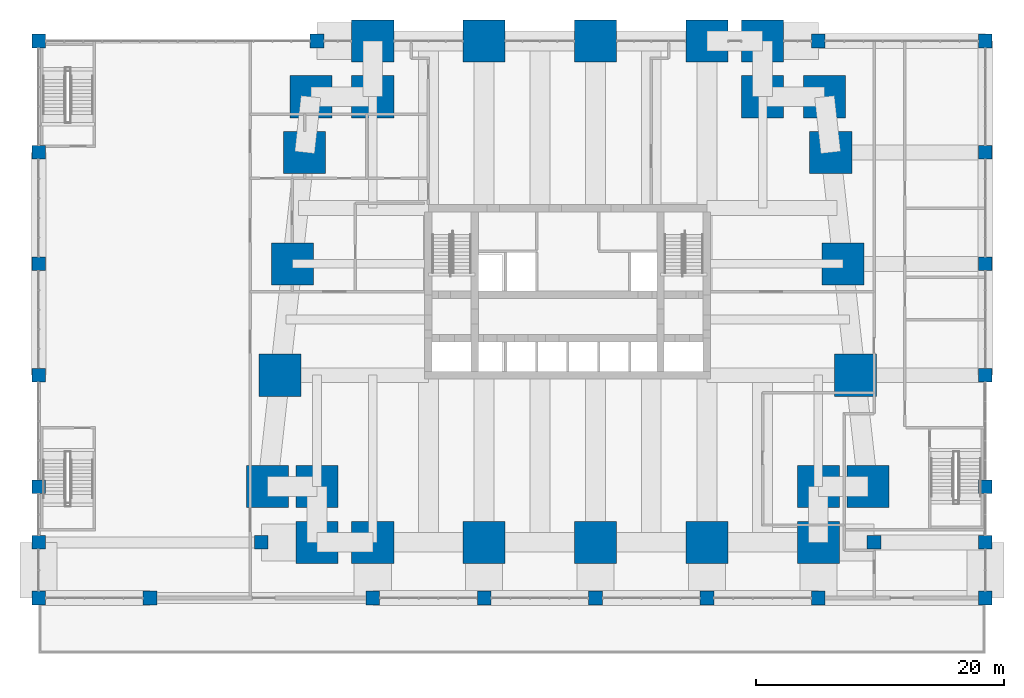
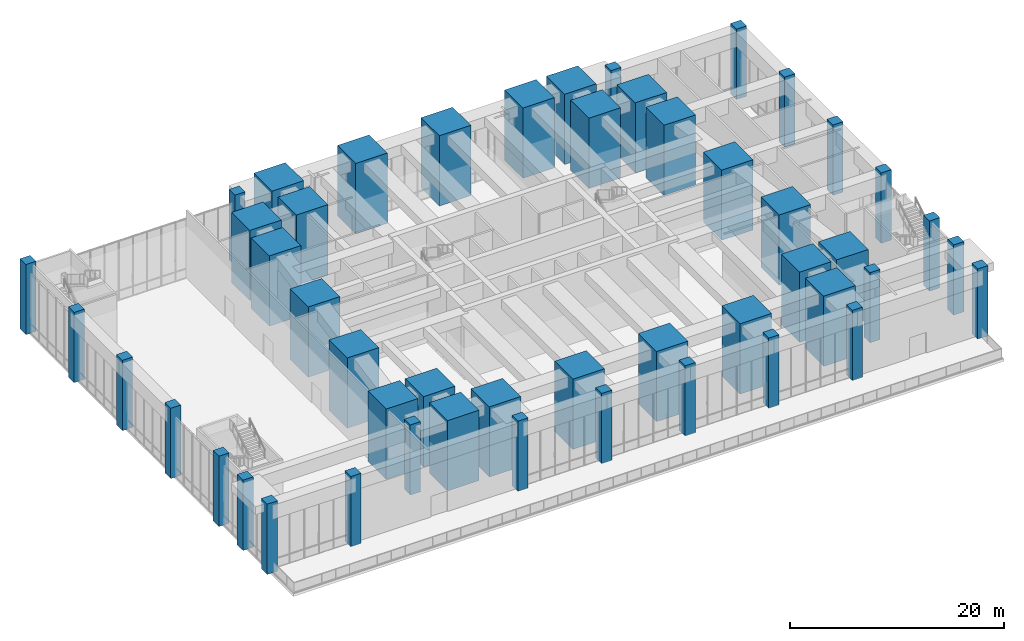
# One storey, part 1 of 26: 49 columns.
"""IFC4 building model written with IfcOpenShell, lengths in metres."""

from ifc_helpers import new_model, si_unit, direction, frame, origin, origin_2d, place, context, subcontext, project, spatial, rectangle, extrude, material, material_profile, profile_set, type_object, element, save


model = new_model("IFC4")

# Units and contexts
model_context = context("Model", 3, precision=1e-05, world=origin(), true_north=direction((0.0, 1.0)))
body_context = subcontext(model_context, "Body", "Model", "MODEL_VIEW")
ifc_project = project(units=[si_unit("LENGTHUNIT", "METRE"), si_unit("AREAUNIT", "SQUARE_METRE"), si_unit("VOLUMEUNIT", "CUBIC_METRE"), si_unit("PLANEANGLEUNIT", "RADIAN"), si_unit("MASSUNIT", "GRAM", prefix="KILO")], contexts=[model_context])

# Site, building, storey
site_placement = place(None, origin())
site = spatial("IfcSite", under=ifc_project, at=site_placement, CompositionType="ELEMENT")
building_placement = place(site_placement, origin())
building = spatial("IfcBuilding", under=site, at=building_placement, Name="Kilele Tower Hotel", CompositionType="ELEMENT")
storey_placement = place(building_placement, frame((0.0, 0.0, 11.0)))
storey = spatial("IfcBuildingStorey", under=building, at=storey_placement, Name="L02", CompositionType="ELEMENT", Elevation=11.0)

# Columns
ifc_material_1 = material(Name="Concrete C60/75", Category="concrete")
ifc_material_profile_1 = material_profile(ifc_material_1, rectangle(XDim=1.10009765625, YDim=1.10009765625, at=origin_2d()))
ifc_profile_set_1 = profile_set([ifc_material_profile_1], Name="Concrete C60/75")
column_type_1 = type_object("IfcColumnType", Name="Column RC 1100x1100 C60/75", PredefinedType="COLUMN", material=ifc_profile_set_1)
for number, where, z_axis, x_axis, name in (
    (1, (-18.0, -4.5, 0.0), (0.0, 0.0, 1.0), (1.0, 0.0, 0.0), "Column PC1 L02"),
    (2, (58.5, -4.5, 0.0), (0.0, 0.0, 1.0), (1.0, 0.0, 0.0), "Column PC1 L02"),
    (3, (-18.0, 4.5, 0.0), (0.0, 0.0, 1.0), (1.0, 0.0, 0.0), "Column PC1 L02"),
    (4, (58.5, 4.5, 0.0), (0.0, 0.0, 1.0), (1.0, 0.0, 0.0), "Column PC1 L02"),
    (5, (-18.0, 13.5, 0.0), (0.0, 0.0, 1.0), (1.0, 0.0, 0.0), "Column PC1 L02"),
    (6, (58.5, 13.5, 0.0), (0.0, 0.0, 1.0), (1.0, 0.0, 0.0), "Column PC1 L02"),
    (7, (-18.0, 22.5, 0.0), (0.0, 0.0, 1.0), (1.0, 0.0, 0.0), "Column PC1 L02"),
    (8, (58.5, 22.5, 0.0), (0.0, 0.0, 1.0), (1.0, 0.0, 0.0), "Column PC1 L02"),
    (9, (-18.0, 31.5, 0.0), (0.0, 0.0, 1.0), (1.0, 0.0, 0.0), "Column PC1 L02"),
    (10, (58.5, 31.5, 0.0), (0.0, 0.0, 1.0), (1.0, 0.0, 0.0), "Column PC1 L02"),
    (11, (-18.0, 40.5, 0.0), (0.0, 0.0, 1.0), (1.0, 0.0, 0.0), "Column PC1 L02"),
    (12, (58.5, 40.5, 0.0), (0.0, 0.0, 1.0), (1.0, 0.0, 0.0), "Column PC1 L02"),
    (13, (-18.0, 0.0, 0.0), (0.0, 0.0, 1.0), (1.0, 0.0, 0.0), "Column PC1 L02"),
    (14, (58.5, 0.0, 0.0), (0.0, 0.0, 1.0), (1.0, 0.0, 0.0), "Column PC1 L02"),
    (15, (9.0, -4.5, 0.0), (0.0, 0.0, 1.0), (1.0, 0.0, 0.0), "Column PC1 L02"),
    (16, (18.0, -4.5, 0.0), (0.0, 0.0, 1.0), (1.0, 0.0, 0.0), "Column PC1 L02"),
    (17, (27.0, -4.5, 0.0), (0.0, 0.0, 1.0), (1.0, 0.0, 0.0), "Column PC1 L02"),
    (18, (36.0, -4.5, 0.0), (0.0, 0.0, 1.0), (1.0, 0.0, 0.0), "Column PC1 L02"),
    (19, (45.0, -4.5, 0.0), (0.0, 0.0, 1.0), (1.0, 0.0, 0.0), "Column PC1 L02"),
    (20, (0.0, 0.0, 0.0), (0.0, 0.0, 1.0), (1.0, 0.0, 0.0), "Column PC1 L02"),
    (21, (49.5, 0.0, 0.0), (0.0, 0.0, 1.0), (1.0, 0.0, 0.0), "Column PC1 L02"),
    (22, (4.5, 40.5, 0.0), (0.0, 0.0, 1.0), (1.0, 0.0, 0.0), "Column PC1 L02"),
    (23, (45.0, 40.5, 0.0), (0.0, 0.0, 1.0), (1.0, 0.0, 0.0), "Column PC1 L02"),
    (24, (-9.0, -4.5, 0.0), (0.0, 0.0, 1.0), (1.0, 0.0, 0.0), "Column PC1 L02"),
):
    element("IfcColumn", number, at=place(storey_placement, frame(where, z_axis=z_axis, x_axis=x_axis)), inside=storey, type_object=column_type_1, Name=name, PredefinedType="COLUMN", context=body_context, shape_type="SweptSolid", body=[
        extrude(rectangle(XDim=1.10009765625, YDim=1.10009765625, at=origin_2d()), origin(), (0.0, 0.0, 1.0), 8.0),
    ])
ifc_material_2 = material(Name="Concrete C80/95", Category="concrete")
ifc_material_profile_2 = material_profile(ifc_material_2, rectangle(XDim=3.39990234375, YDim=3.39990234375, at=origin_2d()))
ifc_profile_set_2 = profile_set([ifc_material_profile_2], Name="Concrete C80/95")
column_type_2 = type_object("IfcColumnType", Name="Mega column RC 3400x3400 C80/95", PredefinedType="COLUMN", material=ifc_profile_set_2)
for number, where, z_axis, x_axis, name in (
    (25, (0.5, 4.5, 0.0), (0.0, 0.0, 1.0), (1.0, 0.0, 0.0), "Column MC2 L02"),
    (26, (4.5, 4.5, 0.0), (0.0, 0.0, 1.0), (1.0, 0.0, 0.0), "Column MC2 L02"),
    (27, (4.5, 0.0, 0.0), (0.0, 0.0, 1.0), (1.0, 0.0, 0.0), "Column MC2 L02"),
    (28, (9.0, 0.0, 0.0), (0.0, 0.0, 1.0), (1.0, 0.0, 0.0), "Column MC2 L02"),
    (29, (18.0, 0.0, 0.0), (0.0, 0.0, 1.0), (1.0, 0.0, 0.0), "Column MC2 L02"),
    (30, (27.0, 0.0, 0.0), (0.0, 0.0, 1.0), (1.0, 0.0, 0.0), "Column MC2 L02"),
    (31, (36.0, 0.0, 0.0), (0.0, 0.0, 1.0), (1.0, 0.0, 0.0), "Column MC2 L02"),
    (32, (45.0, 0.0, 0.0), (0.0, 0.0, 1.0), (1.0, 0.0, 0.0), "Column MC2 L02"),
    (33, (45.0, 4.5, 0.0), (0.0, 0.0, 1.0), (1.0, 0.0, 0.0), "Column MC2 L02"),
    (34, (49.0, 4.5, 0.0), (0.0, 0.0, 1.0), (1.0, 0.0, 0.0), "Column MC2 L02"),
    (35, (48.0, 13.5, 0.0), (0.0, 0.0, 1.0), (1.0, 0.0, 0.0), "Column MC2 L02"),
    (36, (47.0, 22.5, 0.0), (0.0, 0.0, 1.0), (1.0, 0.0, 0.0), "Column MC2 L02"),
    (37, (46.0, 31.5, 0.0), (0.0, 0.0, 1.0), (1.0, 0.0, 0.0), "Column MC2 L02"),
    (38, (45.5, 36.0, 0.0), (0.0, 0.0, 1.0), (1.0, 0.0, 0.0), "Column MC2 L02"),
    (39, (40.5, 36.0, 0.0), (0.0, 0.0, 1.0), (1.0, 0.0, 0.0), "Column MC2 L02"),
    (40, (40.5, 40.5, 0.0), (0.0, 0.0, 1.0), (1.0, 0.0, 0.0), "Column MC2 L02"),
    (41, (36.0, 40.5, 0.0), (0.0, 0.0, 1.0), (1.0, 0.0, 0.0), "Column MC2 L02"),
    (42, (27.0, 40.5, 0.0), (0.0, 0.0, 1.0), (1.0, 0.0, 0.0), "Column MC2 L02"),
    (43, (18.0, 40.5, 0.0), (0.0, 0.0, 1.0), (1.0, 0.0, 0.0), "Column MC2 L02"),
    (44, (9.0, 40.5, 0.0), (0.0, 0.0, 1.0), (1.0, 0.0, 0.0), "Column MC2 L02"),
    (45, (9.0, 36.0, 0.0), (0.0, 0.0, 1.0), (1.0, 0.0, 0.0), "Column MC2 L02"),
    (46, (4.0, 36.0, 0.0), (0.0, 0.0, 1.0), (1.0, 0.0, 0.0), "Column MC2 L02"),
    (47, (3.5, 31.5, 0.0), (0.0, 0.0, 1.0), (1.0, 0.0, 0.0), "Column MC2 L02"),
    (48, (2.5, 22.5, 0.0), (0.0, 0.0, 1.0), (1.0, 0.0, 0.0), "Column MC2 L02"),
    (49, (1.5, 13.5, 0.0), (0.0, 0.0, 1.0), (1.0, 0.0, 0.0), "Column MC2 L02"),
):
    element("IfcColumn", number, at=place(storey_placement, frame(where, z_axis=z_axis, x_axis=x_axis)), inside=storey, type_object=column_type_2, Name=name, PredefinedType="COLUMN", context=body_context, shape_type="SweptSolid", body=[
        extrude(rectangle(XDim=3.39990234375, YDim=3.39990234375, at=origin_2d()), origin(), (0.0, 0.0, 1.0), 8.0),
    ])

save(model, "model.ifc")
